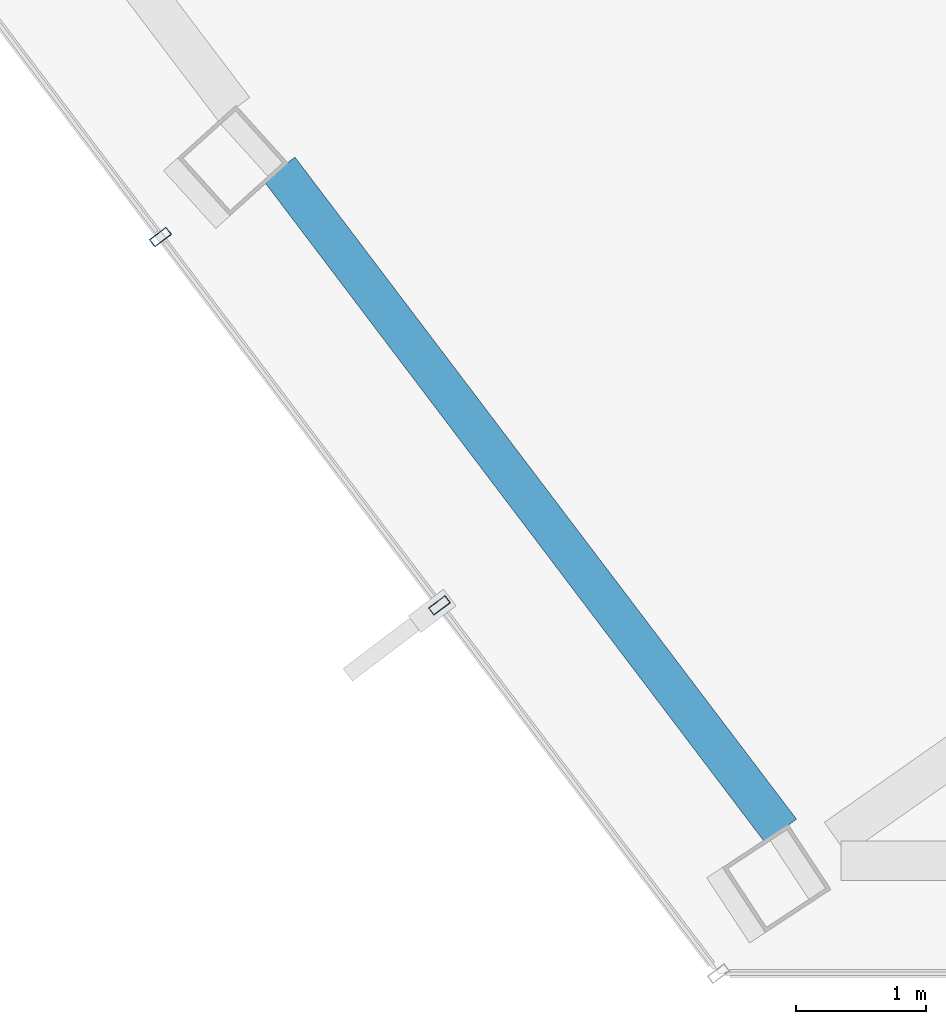
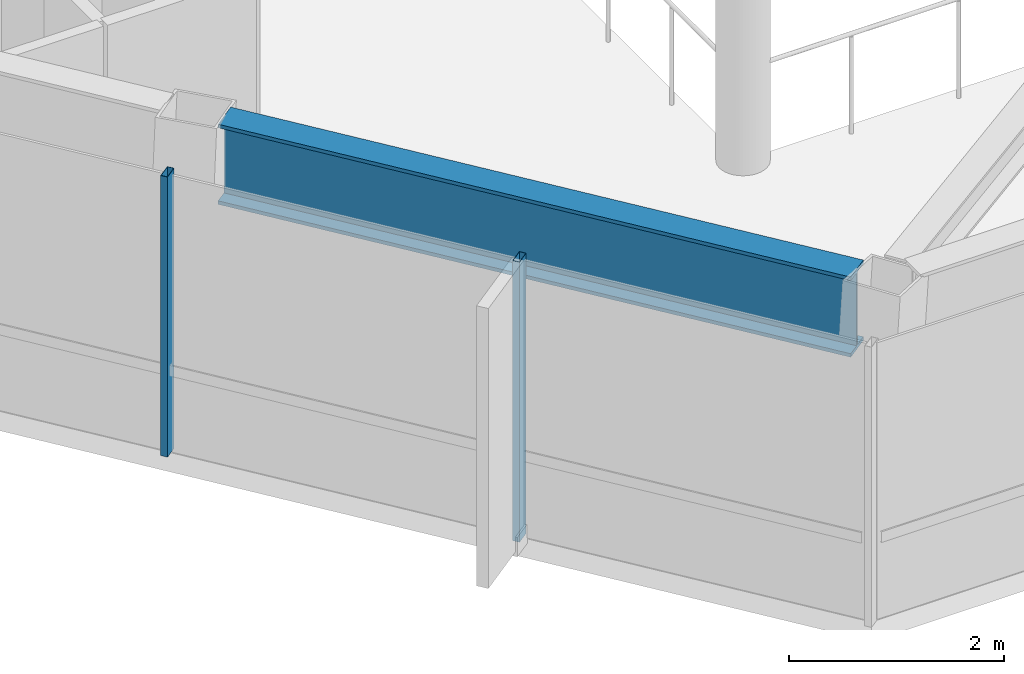
# One storey, part 2 of 27: 2 members, 1 beam, 1 element without a shape of its own.
"""IFC4 building model written with IfcOpenShell, lengths in metres."""

from ifc_helpers import new_model, si_unit, direction, frame, origin, origin_2d, place, context, subcontext, project, spatial, hollow_rectangle, i_section, extrude, material, layer, layer_set, material_profile, profile_set, type_object, element, aggregate, save


model = new_model("IFC4")

# Units and contexts
model_context = context("Model", 3, precision=1e-05, world=origin(), true_north=direction((0.0, 1.0)))
body_context = subcontext(model_context, "Body", "Model", "MODEL_VIEW")
ifc_project = project(units=[si_unit("LENGTHUNIT", "METRE"), si_unit("AREAUNIT", "SQUARE_METRE"), si_unit("VOLUMEUNIT", "CUBIC_METRE"), si_unit("PLANEANGLEUNIT", "RADIAN"), si_unit("MASSUNIT", "GRAM", prefix="KILO")], contexts=[model_context])

# Site, building, storey
site_placement = place(None, origin())
site = spatial("IfcSite", under=ifc_project, at=site_placement, CompositionType="ELEMENT")
building_placement = place(site_placement, origin())
building = spatial("IfcBuilding", under=site, at=building_placement, Name="Zarrinselat Tower", CompositionType="ELEMENT")
storey_placement = place(building_placement, frame((0.0, 0.0, 225.760009765625)))
storey = spatial("IfcBuildingStorey", under=building, at=storey_placement, Name="L56", CompositionType="ELEMENT", Elevation=225.760009765625)

# Beam
ifc_material_1 = material(Name="Steel S460M", Category="steel")
ifc_material_profile_1 = material_profile(ifc_material_1, i_section(OverallWidth=0.302001953125, OverallDepth=0.909912109375, WebThickness=0.02099609375, FlangeThickness=0.0400390625, at=origin_2d()), Name="HEM 900")
ifc_profile_set_1 = profile_set([ifc_material_profile_1], Name="Steel S460M")
beam_type = type_object("IfcBeamType", Name="BM-HEM900", PredefinedType="BEAM", material=ifc_profile_set_1)
beam_placement = place(storey_placement, frame((28.912841796875, 24.3037109375, 2.72509765625), z_axis=(0.603865048742, -0.797086571777, 0.0), x_axis=(0.797086571777, 0.603865048742, 0.0)))
element("IfcBeam", 1, at=beam_placement, inside=storey, type_object=beam_type, Name="L56 Perimeter Spandrel Girder SP09", PredefinedType="BEAM", context=body_context, shape_type="SweptSolid", body=[
    extrude(i_section(OverallWidth=0.302001953125, OverallDepth=0.909912109375, WebThickness=0.02099609375, FlangeThickness=0.0400390625, at=origin_2d()), origin(), (0.0, 0.0, 1.0), 6.385986328125),
])

# Curtain wall, members
ifc_material_2 = material(Name="Extruded Aluminium Alloy EN AW-6063 T6", Category="aluminium")
ifc_layer = layer(ifc_material_2, 0.169921875)
ifc_layer_set = layer_set([ifc_layer], Name="Extruded Aluminium Alloy EN AW-6063 T6")
curtain_wall_type = type_object("IfcCurtainWallType", Name="CWS-RES", PredefinedType="NOTDEFINED", material=ifc_layer_set)
curtain_wall_placement = place(storey_placement, origin())
curtain_wall = element("IfcCurtainWall", 2, at=curtain_wall_placement, inside=storey, type_object=curtain_wall_type, Name="L56 Unitised Curtain Wall CW-L56-E03", PredefinedType="NOTDEFINED")
ifc_material_3 = material(Name="Extruded Aluminium Alloy EN AW-6063 T6", Category="aluminium")
ifc_material_profile_2 = material_profile(ifc_material_3, hollow_rectangle(XDim=0.070068359375, YDim=0.159912109375, WallThickness=0.00390625, at=origin_2d()), Name="RHS 160x70x4")
ifc_profile_set_2 = profile_set([ifc_material_profile_2], Name="Extruded Aluminium Alloy EN AW-6063 T6")
member_type = type_object("IfcMemberType", Name="MEM-CW-MUL2", PredefinedType="MULLION", material=ifc_profile_set_2)
member_1_placement = place(storey_placement, frame((27.9990234375, 23.780517578125, 0.0), z_axis=(0.0, 0.0, 1.0), x_axis=(0.603859787908, -0.797090557307, 0.0)))
member_1 = element("IfcMember", 3, at=member_1_placement, type_object=member_type, Name="CW-L56-E03 Mullion 6", PredefinedType="MULLION", context=body_context, shape_type="SweptSolid", body=[
    extrude(hollow_rectangle(XDim=0.070068359375, YDim=0.159912109375, WallThickness=0.00390625, at=origin_2d()), origin(), (0.0, 0.0, 1.0), 3.179931640625),
])
member_2_placement = place(storey_placement, frame((30.144287109375, 20.948486328125, 0.0), z_axis=(0.0, 0.0, 1.0), x_axis=(0.603859787908, -0.797090557307, 0.0)))
member_2 = element("IfcMember", 4, at=member_2_placement, type_object=member_type, Name="CW-L56-E03 Mullion 7", PredefinedType="MULLION", context=body_context, shape_type="SweptSolid", body=[
    extrude(hollow_rectangle(XDim=0.070068359375, YDim=0.159912109375, WallThickness=0.00390625, at=origin_2d()), origin(), (0.0, 0.0, 1.0), 3.179931640625),
])
aggregate(curtain_wall, [member_1, member_2])

save(model, "model.ifc")
